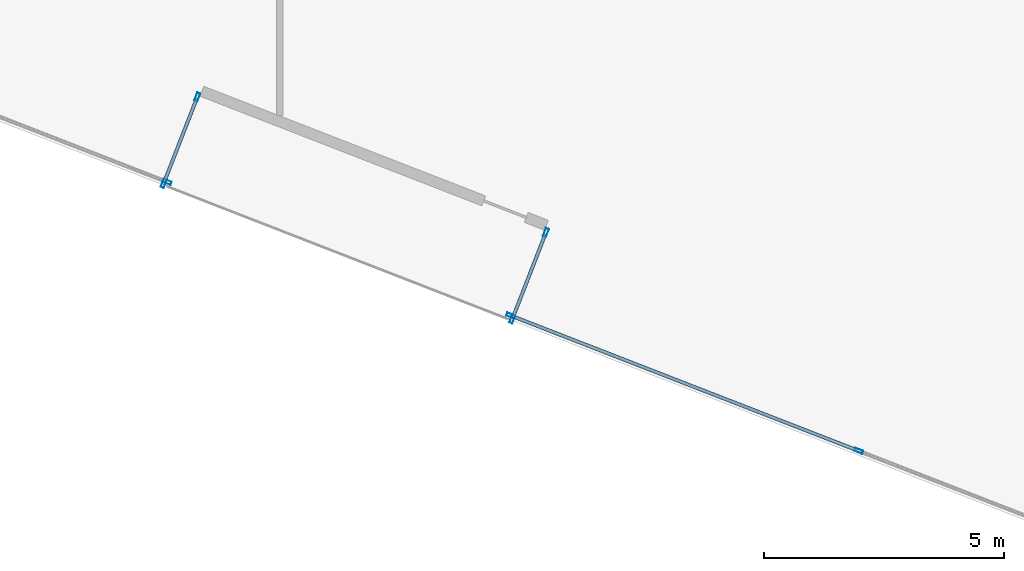
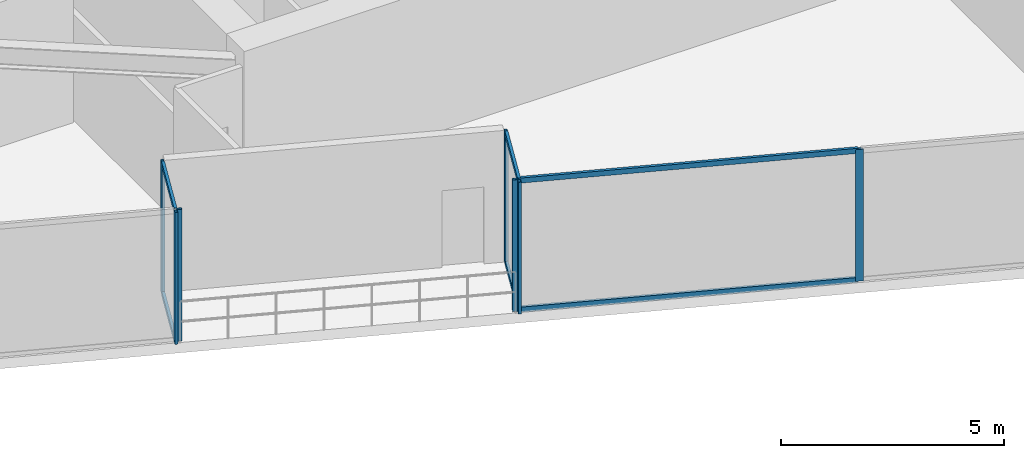
# One storey, part 3 of 26: 13 members, 4 elements without a shape of their own.
"""IFC4 building model written with IfcOpenShell, lengths in metres."""

from ifc_helpers import new_model, si_unit, direction, frame, origin, origin_2d, place, context, subcontext, project, spatial, hollow_rectangle, extrude, source, transform, mapped, material, material_profile, profile_set, type_object, type_shapes, element, aggregate, save


model = new_model("IFC4")

# Units and contexts
model_context = context("Model", 3, precision=1e-05, world=origin(), true_north=direction((0.0, 1.0)))
body_context = subcontext(model_context, "Body", "Model", "MODEL_VIEW")
ifc_project = project(units=[si_unit("LENGTHUNIT", "METRE"), si_unit("AREAUNIT", "SQUARE_METRE"), si_unit("VOLUMEUNIT", "CUBIC_METRE"), si_unit("PLANEANGLEUNIT", "RADIAN"), si_unit("MASSUNIT", "GRAM", prefix="KILO")], contexts=[model_context])

# Site, building, storey
site_placement = place(None, origin())
site = spatial("IfcSite", under=ifc_project, at=site_placement, CompositionType="ELEMENT")
building_placement = place(site_placement, origin())
building = spatial("IfcBuilding", under=site, at=building_placement, Name="Krantzveldt Concourse Tower", CompositionType="ELEMENT")
storey_placement = place(building_placement, frame((0.0, 0.0, 137.449951171875)))
storey = spatial("IfcBuildingStorey", under=building, at=storey_placement, Name="L33", CompositionType="ELEMENT", Elevation=137.449951171875)

# Curtain wall, members
ifc_material = material(Name="Anodised aluminium 6063-T6", Category="aluminium")
curtain_wall_type_1 = type_object("IfcCurtainWallType", Name="CW6", PredefinedType="USERDEFINED", material=ifc_material)
curtain_wall_1_placement = place(storey_placement, origin())
curtain_wall_1 = element("IfcCurtainWall", 1, at=curtain_wall_1_placement, inside=storey, type_object=curtain_wall_type_1, Name="CW-L33-TR07", ObjectType="UNITISED CURTAIN WALL", PredefinedType="USERDEFINED")
ifc_material_profile_1 = material_profile(ifc_material, hollow_rectangle(XDim=0.070068359375, YDim=0.139892578125, WallThickness=0.0048828125, at=origin_2d()), Name="Anodised aluminium 6063-T6", Category="aluminium")
ifc_profile_set_1 = profile_set([ifc_material_profile_1], Name="Anodised aluminium 6063-T6 - ALU-TRAN 140x70x5")
member_type_1 = type_object("IfcMemberType", Name="CW-TRN-150", PredefinedType="USERDEFINED", material=ifc_profile_set_1)
shared_shape_1 = source(origin(), body_context, "Body", "SweptSolid", [
    extrude(hollow_rectangle(XDim=0.070068359375, YDim=0.139892578125, WallThickness=0.0048828125, at=origin_2d()), origin(), (0.0, 0.0, 1.0), 1.860107421875),
])
member_1_placement = place(storey_placement, frame((31.843994140625, 5.280029296875, 0.03515625), z_axis=(-0.362389255196, -0.932026838518, 0.0), x_axis=(0.932026838518, -0.362389255196, 0.0)))
member_1 = element("IfcMember", 2, at=member_1_placement, type_object=member_type_1, Name="CW-TERR transom 1.1", ObjectType="TRANSOM", PredefinedType="USERDEFINED", context=body_context, shape_type="MappedRepresentation", body=[
    mapped(shared_shape_1, transform((0.0, 0.0, 0.0), x_axis=(1.0, 0.0, 0.0), y_axis=(0.0, 1.0, 0.0), z_axis=(0.0, 0.0, 1.0), scale=1.0)),
])
member_2_placement = place(storey_placement, frame((31.843994140625, 5.280029296875, 3.56494140625), z_axis=(-0.362389255196, -0.932026838518, 0.0), x_axis=(0.932026838518, -0.362389255196, 0.0)))
member_2 = element("IfcMember", 3, at=member_2_placement, type_object=member_type_1, Name="CW-TERR transom 1.2", ObjectType="TRANSOM", PredefinedType="USERDEFINED", context=body_context, shape_type="MappedRepresentation", body=[
    mapped(shared_shape_1, transform((0.0, 0.0, 0.0), x_axis=(1.0, 0.0, 0.0), y_axis=(0.0, 1.0, 0.0), z_axis=(0.0, 0.0, 1.0), scale=1.0)),
])

curtain_wall_type_2 = type_object("IfcCurtainWallType", Name="CW2", PredefinedType="USERDEFINED", material=ifc_material)
curtain_wall_2_placement = place(storey_placement, origin())
curtain_wall_2 = element("IfcCurtainWall", 4, at=curtain_wall_2_placement, inside=storey, type_object=curtain_wall_type_2, Name="CW-L33-F08", ObjectType="UNITISED CURTAIN WALL", PredefinedType="USERDEFINED")
shared_shape_2 = source(origin(), body_context, "Body", "SweptSolid", [
    extrude(hollow_rectangle(XDim=0.070068359375, YDim=0.139892578125, WallThickness=0.0048828125, at=origin_2d()), origin(), (0.0, 0.0, 1.0), 7.695068359375),
])
member_3_placement = place(storey_placement, frame((31.158447265625, 3.572265625, 0.03515625), z_axis=(0.932004671541, -0.362446261155, 0.0), x_axis=(0.362446261155, 0.932004671541, 0.0)))
member_3 = element("IfcMember", 5, at=member_3_placement, type_object=member_type_1, Name="CW-Z12 transom 1.1", ObjectType="TRANSOM", PredefinedType="USERDEFINED", context=body_context, shape_type="MappedRepresentation", body=[
    mapped(shared_shape_2, transform((0.0, 0.0, 0.0), x_axis=(1.0, 0.0, 0.0), y_axis=(0.0, 1.0, 0.0), z_axis=(0.0, 0.0, 1.0), scale=1.0)),
])
member_4_placement = place(storey_placement, frame((31.158447265625, 3.572265625, 3.56494140625), z_axis=(0.932004671541, -0.362446261155, 0.0), x_axis=(0.362446261155, 0.932004671541, 0.0)))
member_4 = element("IfcMember", 6, at=member_4_placement, type_object=member_type_1, Name="CW-Z12 transom 1.2", ObjectType="TRANSOM", PredefinedType="USERDEFINED", context=body_context, shape_type="MappedRepresentation", body=[
    mapped(shared_shape_2, transform((0.0, 0.0, 0.0), x_axis=(1.0, 0.0, 0.0), y_axis=(0.0, 1.0, 0.0), z_axis=(0.0, 0.0, 1.0), scale=1.0)),
])

curtain_wall_3_placement = place(storey_placement, origin())
curtain_wall_3 = element("IfcCurtainWall", 7, at=curtain_wall_3_placement, inside=storey, type_object=curtain_wall_type_1, Name="CW-L33-TR05", ObjectType="UNITISED CURTAIN WALL", PredefinedType="USERDEFINED")
shared_shape_3 = source(origin(), body_context, "Body", "SweptSolid", [
    extrude(hollow_rectangle(XDim=0.070068359375, YDim=0.139892578125, WallThickness=0.0048828125, at=origin_2d()), origin(), (0.0, 0.0, 1.0), 1.85986328125),
])
type_shapes(member_type_1, [shared_shape_1, shared_shape_2, shared_shape_3])
member_5_placement = place(storey_placement, frame((23.918701171875, 6.3662109375, 0.03515625), z_axis=(0.362547609309, 0.931965252026, 0.0), x_axis=(-0.931965252026, 0.362547609309, 0.0)))
member_5 = element("IfcMember", 8, at=member_5_placement, type_object=member_type_1, Name="CW-TERR transom 1.1", ObjectType="TRANSOM", PredefinedType="USERDEFINED", context=body_context, shape_type="MappedRepresentation", body=[
    mapped(shared_shape_3, transform((0.0, 0.0, 0.0), x_axis=(1.0, 0.0, 0.0), y_axis=(0.0, 1.0, 0.0), z_axis=(0.0, 0.0, 1.0), scale=1.0)),
])
member_6_placement = place(storey_placement, frame((23.918701171875, 6.3662109375, 3.56494140625), z_axis=(0.362547609309, 0.931965252026, 0.0), x_axis=(-0.931965252026, 0.362547609309, 0.0)))
member_6 = element("IfcMember", 9, at=member_6_placement, type_object=member_type_1, Name="CW-TERR transom 1.2", ObjectType="TRANSOM", PredefinedType="USERDEFINED", context=body_context, shape_type="MappedRepresentation", body=[
    mapped(shared_shape_3, transform((0.0, 0.0, 0.0), x_axis=(1.0, 0.0, 0.0), y_axis=(0.0, 1.0, 0.0), z_axis=(0.0, 0.0, 1.0), scale=1.0)),
])

# Curtain wall, member
curtain_wall_4_placement = place(storey_placement, origin())
curtain_wall_4 = element("IfcCurtainWall", 10, at=curtain_wall_4_placement, inside=storey, type_object=curtain_wall_type_2, Name="CW-L33-F04", ObjectType="UNITISED CURTAIN WALL", PredefinedType="USERDEFINED")
ifc_material_profile_2 = material_profile(ifc_material, hollow_rectangle(XDim=0.070068359375, YDim=0.179931640625, WallThickness=0.0048828125, at=origin_2d()), Name="Anodised aluminium 6063-T6", Category="aluminium")
ifc_profile_set_2 = profile_set([ifc_material_profile_2], Name="Anodised aluminium 6063-T6 - ALU-MULL 180x70x5")
member_type_2 = type_object("IfcMemberType", Name="CW-MUL-180", PredefinedType="MULLION", material=ifc_profile_set_2)
shared_shape_4 = source(origin(), body_context, "Body", "SweptSolid", [
    extrude(hollow_rectangle(XDim=0.070068359375, YDim=0.179931640625, WallThickness=0.0048828125, at=origin_2d()), origin(), (0.0, 0.0, 1.0), 3.60009765625),
])
type_shapes(member_type_2, [shared_shape_4])
member_7_placement = place(storey_placement, frame((23.977294921875, 6.36474609375, 0.0), z_axis=(0.0, 0.0, 1.0), x_axis=(0.362437908899, 0.932007919598, 0.0)))
member_7 = element("IfcMember", 11, at=member_7_placement, type_object=member_type_2, Name="CW-Z12 mullion 3", PredefinedType="MULLION", context=body_context, shape_type="MappedRepresentation", body=[
    mapped(shared_shape_4, transform((0.0, 0.0, 0.0), x_axis=(1.0, 0.0, 0.0), y_axis=(0.0, 1.0, 0.0), z_axis=(0.0, 0.0, 1.0), scale=1.0)),
])
aggregate(curtain_wall_4, [member_7])

# Member
member_8_placement = place(storey_placement, frame((23.906005859375, 6.33349609375, 0.0), z_axis=(0.0, 0.0, 1.0), x_axis=(-0.932007486518, 0.36243902256, 0.0)))
member_8 = element("IfcMember", 12, at=member_8_placement, type_object=member_type_2, Name="CW-TERR mullion 1", PredefinedType="MULLION", context=body_context, shape_type="MappedRepresentation", body=[
    mapped(shared_shape_4, transform((0.0, 0.0, 0.0), x_axis=(1.0, 0.0, 0.0), y_axis=(0.0, 1.0, 0.0), z_axis=(0.0, 0.0, 1.0), scale=1.0)),
])

member_9_placement = place(storey_placement, frame((24.605712890625, 8.13232421875, 0.0), z_axis=(0.0, 0.0, 1.0), x_axis=(-0.932007486518, 0.36243902256, 0.0)))
member_9 = element("IfcMember", 13, at=member_9_placement, type_object=member_type_2, Name="CW-TERR mullion 2", PredefinedType="MULLION", context=body_context, shape_type="MappedRepresentation", body=[
    mapped(shared_shape_4, transform((0.0, 0.0, 0.0), x_axis=(1.0, 0.0, 0.0), y_axis=(0.0, 1.0, 0.0), z_axis=(0.0, 0.0, 1.0), scale=1.0)),
])

aggregate(curtain_wall_3, [member_8, member_9, member_5, member_6])

member_10_placement = place(storey_placement, frame((31.856689453125, 5.3125, 0.0), z_axis=(0.0, 0.0, 1.0), x_axis=(0.932007486518, -0.36243902256, 0.0)))
member_10 = element("IfcMember", 14, at=member_10_placement, type_object=member_type_2, Name="CW-TERR mullion 1", PredefinedType="MULLION", context=body_context, shape_type="MappedRepresentation", body=[
    mapped(shared_shape_4, transform((0.0, 0.0, 0.0), x_axis=(1.0, 0.0, 0.0), y_axis=(0.0, 1.0, 0.0), z_axis=(0.0, 0.0, 1.0), scale=1.0)),
])

member_11_placement = place(storey_placement, frame((31.1572265625, 3.513671875, 0.0), z_axis=(0.0, 0.0, 1.0), x_axis=(0.932007486518, -0.36243902256, 0.0)))
member_11 = element("IfcMember", 15, at=member_11_placement, type_object=member_type_2, Name="CW-TERR mullion 2", PredefinedType="MULLION", context=body_context, shape_type="MappedRepresentation", body=[
    mapped(shared_shape_4, transform((0.0, 0.0, 0.0), x_axis=(1.0, 0.0, 0.0), y_axis=(0.0, 1.0, 0.0), z_axis=(0.0, 0.0, 1.0), scale=1.0)),
])

aggregate(curtain_wall_1, [member_10, member_11, member_1, member_2])

member_12_placement = place(storey_placement, frame((31.125732421875, 3.5849609375, 0.0), z_axis=(0.0, 0.0, 1.0), x_axis=(0.362437908899, 0.932007919598, 0.0)))
member_12 = element("IfcMember", 16, at=member_12_placement, type_object=member_type_2, Name="CW-Z12 mullion 1", PredefinedType="MULLION", context=body_context, shape_type="MappedRepresentation", body=[
    mapped(shared_shape_4, transform((0.0, 0.0, 0.0), x_axis=(1.0, 0.0, 0.0), y_axis=(0.0, 1.0, 0.0), z_axis=(0.0, 0.0, 1.0), scale=1.0)),
])

member_13_placement = place(storey_placement, frame((38.36279296875, 0.7705078125, 0.0), z_axis=(0.0, 0.0, 1.0), x_axis=(0.362437908899, 0.932007919598, 0.0)))
member_13 = element("IfcMember", 17, at=member_13_placement, type_object=member_type_2, Name="CW-Z12 mullion 2", PredefinedType="MULLION", context=body_context, shape_type="MappedRepresentation", body=[
    mapped(shared_shape_4, transform((0.0, 0.0, 0.0), x_axis=(1.0, 0.0, 0.0), y_axis=(0.0, 1.0, 0.0), z_axis=(0.0, 0.0, 1.0), scale=1.0)),
])

aggregate(curtain_wall_2, [member_12, member_13, member_3, member_4])

save(model, "model.ifc")
